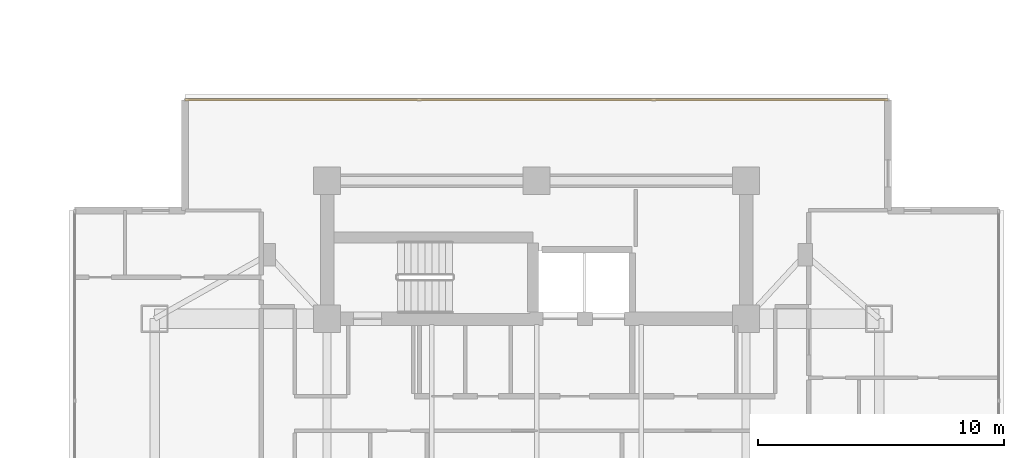
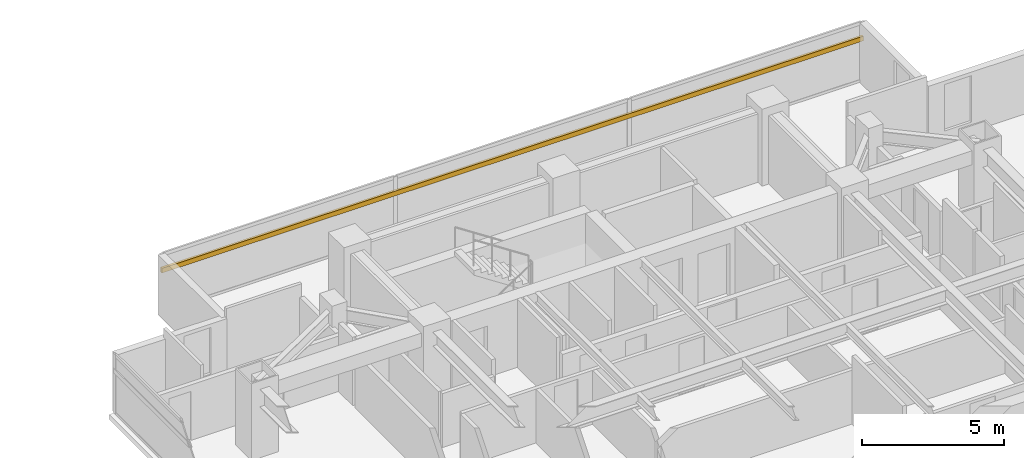
# One storey, part 24 of 24: 1 shading device.
"""IFC4 building model written with IfcOpenShell, lengths in metres."""

from ifc_helpers import new_model, si_unit, direction, frame, origin, origin_2d, place, context, subcontext, project, spatial, rectangle, extrude, material, material_profile, profile_set, type_object, element, save


model = new_model("IFC4")

# Units and contexts
model_context = context("Model", 3, precision=1e-05, world=origin(), true_north=direction((0.0, 1.0)))
body_context = subcontext(model_context, "Body", "Model", "MODEL_VIEW")
ifc_project = project(units=[si_unit("LENGTHUNIT", "METRE"), si_unit("AREAUNIT", "SQUARE_METRE"), si_unit("VOLUMEUNIT", "CUBIC_METRE"), si_unit("PLANEANGLEUNIT", "RADIAN"), si_unit("MASSUNIT", "GRAM", prefix="KILO")], contexts=[model_context])

# Site, building, storey
site_placement = place(None, origin())
site = spatial("IfcSite", under=ifc_project, at=site_placement, CompositionType="ELEMENT")
building_placement = place(site_placement, origin())
building = spatial("IfcBuilding", under=site, at=building_placement, Name="Mirazonda Arch Towers", CompositionType="ELEMENT")
storey_placement = place(building_placement, frame((0.0, 0.0, 144.5)))
storey = spatial("IfcBuildingStorey", under=building, at=storey_placement, Name="L41", CompositionType="ELEMENT", Elevation=144.5)

# Shading device
ifc_material = material(Name="Kiln-Fired Architectural Terracotta", Category="masonry")
ifc_material_profile = material_profile(ifc_material, rectangle(XDim=0.10009765625, YDim=0.199951171875, at=origin_2d()), Name="TERRA-BAG-100x200")
ifc_profile_set = profile_set([ifc_material_profile], Name="Kiln-Fired Architectural Terracotta")
shading_device_type = type_object("IfcShadingDeviceType", Name="BAGUETTE-2", PredefinedType="USERDEFINED", material=ifc_profile_set)
shading_device_placement = place(storey_placement, frame((62.237548828125, 44.08544921875, 1.84326171875), z_axis=(1.0, 0.0, 0.0), x_axis=(0.0, 1.0, 0.0)))
element("IfcShadingDevice", 1, at=shading_device_placement, inside=storey, type_object=shading_device_type, Name="L41 Glazed Terracotta Sun-Screen Baguette CW-L41-T2-N", ObjectType="BAGUETTE", PredefinedType="USERDEFINED", context=body_context, shape_type="SweptSolid", body=[
    extrude(rectangle(XDim=0.10009765625, YDim=0.199951171875, at=origin_2d()), origin(), (0.0, 0.0, 1.0), 28.52490234375),
])

save(model, "model.ifc")
